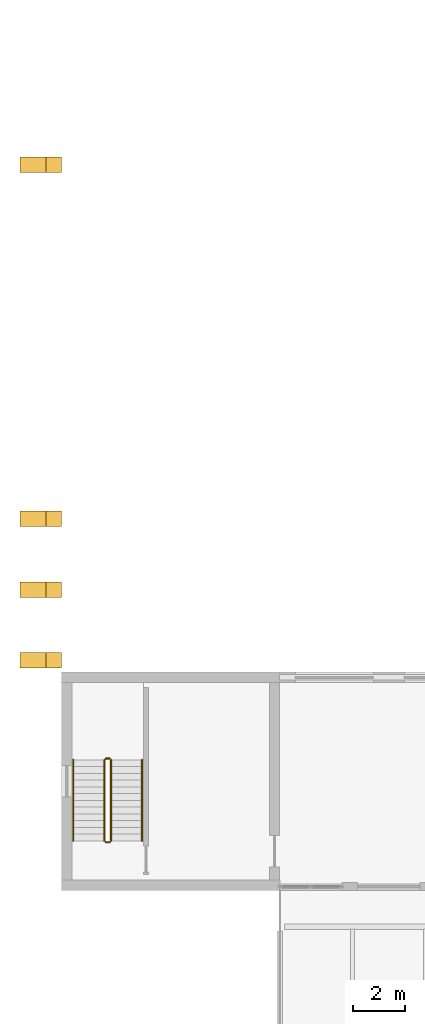
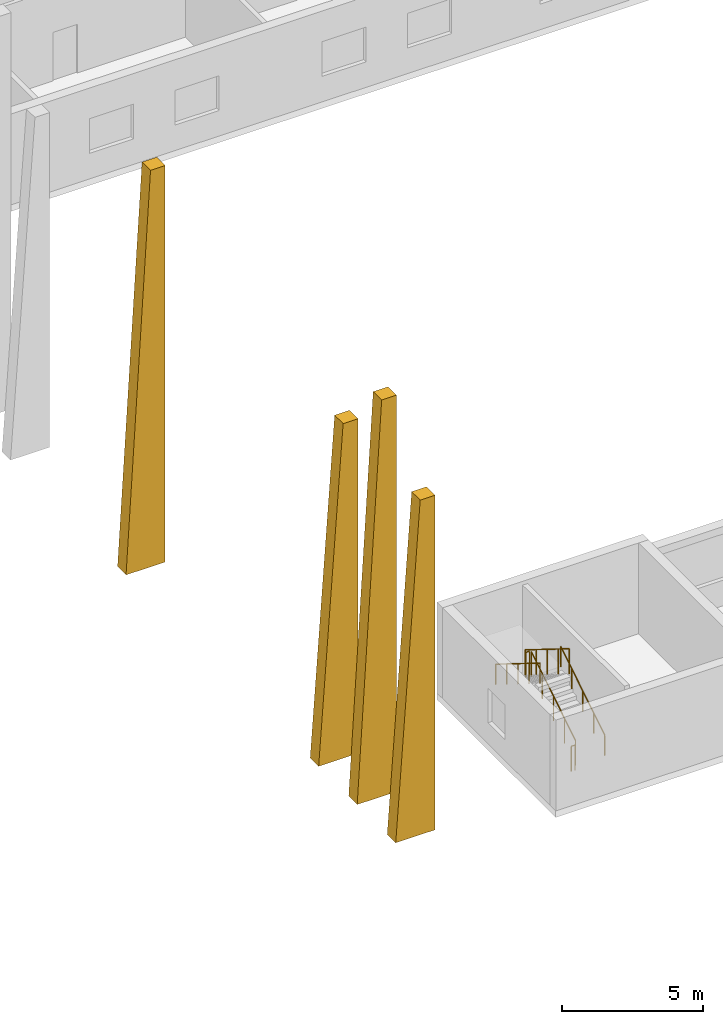
# One storey, part 87 of 96: 6 railings, 4 coverings.
"""IFC4 building model written with IfcOpenShell, lengths in metres."""

from ifc_helpers import new_model, si_unit, direction, frame, origin, origin_2d, place, context, subcontext, project, spatial, polyline, circle, outline, extrude, material, type_object, element, save


model = new_model("IFC4")

# Units and contexts
model_context = context("Model", 3, precision=1e-05, world=origin(), true_north=direction((0.0, 1.0)))
body_context = subcontext(model_context, "Body", "Model", "MODEL_VIEW")
ifc_project = project(units=[si_unit("LENGTHUNIT", "METRE"), si_unit("AREAUNIT", "SQUARE_METRE"), si_unit("VOLUMEUNIT", "CUBIC_METRE"), si_unit("PLANEANGLEUNIT", "RADIAN"), si_unit("MASSUNIT", "GRAM", prefix="KILO")], contexts=[model_context])

# Site, building, storey
site_placement = place(None, origin())
site = spatial("IfcSite", under=ifc_project, at=site_placement, CompositionType="ELEMENT")
building_placement = place(site_placement, origin())
building = spatial("IfcBuilding", under=site, at=building_placement, Name="Cresset Court Congress Hotel", CompositionType="ELEMENT")
storey_placement = place(building_placement, frame((0.0, 0.0, 6.0)))
storey = spatial("IfcBuildingStorey", under=building, at=storey_placement, Name="L01", CompositionType="ELEMENT", Elevation=6.0)

# Railings
ifc_material_1 = material(Name="Stainless steel", Category="steel")
railing_type_1 = type_object("IfcRailingType", Name="Handrail 900", PredefinedType="HANDRAIL", material=ifc_material_1)
railing_1_placement = place(storey_placement, frame((11.5, 60.699951171875, 0.16162109375)))
element("IfcRailing", 1, at=railing_1_placement, inside=storey, type_object=railing_type_1, Name="L01 ST-D1 stair handrail 1", PredefinedType="HANDRAIL", context=body_context, shape_type="SweptSolid", body=[
    extrude(circle(Radius=0.02392578125, at=origin_2d()), frame((0.0, 0.0, 0.8759765625), z_axis=(0.0, 0.849414166554, 0.527726798313), x_axis=(-1.0, 0.0, 0.0)), (0.0, 0.0, 1.0), 3.67333984375),
    extrude(circle(Radius=0.02099609375, at=origin_2d()), origin(), (0.0, 0.0, 1.0), 0.851806640625),
    extrude(circle(Radius=0.02099609375, at=origin_2d()), frame((0.0, 0.780029296875, 0.484619140625)), (0.0, 0.0, 1.0), 0.851806640625),
    extrude(circle(Radius=0.02099609375, at=origin_2d()), frame((0.0, 1.56005859375, 0.96923828125)), (0.0, 0.0, 1.0), 0.851806640625),
    extrude(circle(Radius=0.02099609375, at=origin_2d()), frame((0.0, 2.340087890625, 1.453857421875)), (0.0, 0.0, 1.0), 0.851806640625),
    extrude(circle(Radius=0.02099609375, at=origin_2d()), frame((0.0, 3.1201171875, 1.9384765625)), (0.0, 0.0, 1.0), 0.851806640625),
])
railing_2_placement = place(storey_placement, frame((8.85009765625, 63.820068359375, 2.261474609375)))
element("IfcRailing", 2, at=railing_2_placement, inside=storey, type_object=railing_type_1, Name="L01 ST-D1 stair handrail 2", PredefinedType="HANDRAIL", context=body_context, shape_type="SweptSolid", body=[
    extrude(circle(Radius=0.02392578125, at=origin_2d()), frame((0.0, 0.0, 0.8759765625), z_axis=(0.0, -0.849414166554, 0.527726798313), x_axis=(1.0, 0.0, 0.0)), (0.0, 0.0, 1.0), 3.67333984375),
    extrude(circle(Radius=0.02099609375, at=origin_2d()), origin(), (0.0, 0.0, 1.0), 0.851806640625),
    extrude(circle(Radius=0.02099609375, at=origin_2d()), frame((0.0, -0.780029296875, 0.484619140625)), (0.0, 0.0, 1.0), 0.851806640625),
    extrude(circle(Radius=0.02099609375, at=origin_2d()), frame((0.0, -1.56005859375, 0.96923828125)), (0.0, 0.0, 1.0), 0.851806640625),
    extrude(circle(Radius=0.02099609375, at=origin_2d()), frame((0.0, -2.340087890625, 1.453857421875)), (0.0, 0.0, 1.0), 0.851806640625),
    extrude(circle(Radius=0.02099609375, at=origin_2d()), frame((0.0, -3.1201171875, 1.9384765625)), (0.0, 0.0, 1.0), 0.851806640625),
])

# Coverings
ifc_material_2 = material(Name="Board-marked concrete C50", Category="concrete")
covering_type = type_object("IfcCoveringType", Name="Raked pier 600", PredefinedType="CLADDING", material=ifc_material_2)
covering_1_placement = place(storey_placement, frame((0.0, 67.64990234375, -6.0)))
element("IfcCovering", 3, at=covering_1_placement, inside=storey, type_object=covering_type, Name="Raked pier DB-W1", PredefinedType="CLADDING", context=body_context, shape_type="SweptSolid", body=[
    extrude(outline(polyline([(8.39990234375, 14.44677734375), (7.800048828125, 14.44677734375), (6.800048828125, 0.0), (8.39990234375, 0.0), (8.39990234375, 14.44677734375)])), frame((0.0, 0.300048828125, 0.0), z_axis=(0.0, -1.0, 0.0), x_axis=(1.0, 0.0, 0.0)), (0.0, 0.0, 1.0), 0.60009765625),
])
covering_2_placement = place(storey_placement, frame((0.0, 70.375, -6.0)))
element("IfcCovering", 4, at=covering_2_placement, inside=storey, type_object=covering_type, Name="Raked pier DB-W2", PredefinedType="CLADDING", context=body_context, shape_type="SweptSolid", body=[
    extrude(outline(polyline([(8.39990234375, 17.116455078125), (7.800048828125, 17.116455078125), (6.800048828125, 0.0), (8.39990234375, 0.0), (8.39990234375, 17.116455078125)])), frame((0.0, 0.300048828125, 0.0), z_axis=(0.0, -1.0, 0.0), x_axis=(1.0, 0.0, 0.0)), (0.0, 0.0, 1.0), 0.60009765625),
])
covering_3_placement = place(storey_placement, frame((0.0, 73.10009765625, -6.0)))
element("IfcCovering", 5, at=covering_3_placement, inside=storey, type_object=covering_type, Name="Raked pier DB-W3", PredefinedType="CLADDING", context=body_context, shape_type="SweptSolid", body=[
    extrude(outline(polyline([(8.39990234375, 14.44677734375), (7.800048828125, 14.44677734375), (6.800048828125, 0.0), (8.39990234375, 0.0), (8.39990234375, 14.44677734375)])), frame((0.0, 0.300048828125, 0.0), z_axis=(0.0, -1.0, 0.0), x_axis=(1.0, 0.0, 0.0)), (0.0, 0.0, 1.0), 0.60009765625),
])
covering_4_placement = place(storey_placement, frame((0.0, 86.72509765625, -6.0)))
element("IfcCovering", 6, at=covering_4_placement, inside=storey, type_object=covering_type, Name="Raked pier DB-W8", PredefinedType="CLADDING", context=body_context, shape_type="SweptSolid", body=[
    extrude(outline(polyline([(8.39990234375, 17.116455078125), (7.800048828125, 17.116455078125), (6.800048828125, 0.0), (8.39990234375, 0.0), (8.39990234375, 17.116455078125)])), frame((0.0, 0.300048828125, 0.0), z_axis=(0.0, -1.0, 0.0), x_axis=(1.0, 0.0, 0.0)), (0.0, 0.0, 1.0), 0.60009765625),
])

# Railings
ifc_material_3 = material(Name="Stainless steel", Category="steel")
railing_type_2 = type_object("IfcRailingType", Name="Stair guard 1100 internal", PredefinedType="GUARDRAIL", material=ifc_material_3)
railing_3_placement = place(storey_placement, frame((10.300048828125, 60.699951171875, 0.16162109375)))
element("IfcRailing", 7, at=railing_3_placement, inside=storey, type_object=railing_type_2, Name="L01 ST-D1 stair guard 1", PredefinedType="GUARDRAIL", context=body_context, shape_type="SweptSolid", body=[
    extrude(circle(Radius=0.02392578125, at=origin_2d()), frame((0.0, 0.0, 1.076171875), z_axis=(0.0, 0.849414166554, 0.527726798313), x_axis=(-1.0, 0.0, 0.0)), (0.0, 0.0, 1.0), 3.67333984375),
    extrude(circle(Radius=0.02099609375, at=origin_2d()), origin(), (0.0, 0.0, 1.0), 1.052001953125),
    extrude(circle(Radius=0.02099609375, at=origin_2d()), frame((0.0, 0.780029296875, 0.484619140625)), (0.0, 0.0, 1.0), 1.052001953125),
    extrude(circle(Radius=0.02099609375, at=origin_2d()), frame((0.0, 1.56005859375, 0.96923828125)), (0.0, 0.0, 1.0), 1.052001953125),
    extrude(circle(Radius=0.02099609375, at=origin_2d()), frame((0.0, 2.340087890625, 1.453857421875)), (0.0, 0.0, 1.0), 1.052001953125),
    extrude(circle(Radius=0.02099609375, at=origin_2d()), frame((0.0, 3.1201171875, 1.9384765625)), (0.0, 0.0, 1.0), 1.052001953125),
])
railing_4_placement = place(storey_placement, frame((10.25, 63.8701171875, 2.10009765625)))
element("IfcRailing", 8, at=railing_4_placement, inside=storey, type_object=railing_type_2, Name="L01 ST-D1 stair guard 2", PredefinedType="GUARDRAIL", context=body_context, shape_type="SweptSolid", body=[
    extrude(circle(Radius=0.02392578125, at=origin_2d()), frame((0.0, 0.0, 1.076171875), z_axis=(-1.0, 0.0, 0.0), x_axis=(0.0, -1.0, 0.0)), (0.0, 0.0, 1.0), 0.14990234375),
    extrude(circle(Radius=0.02099609375, at=origin_2d()), origin(), (0.0, 0.0, 1.0), 1.052001953125),
    extrude(circle(Radius=0.02099609375, at=origin_2d()), frame((-0.14990234375, 0.0, 0.0)), (0.0, 0.0, 1.0), 1.052001953125),
])
railing_5_placement = place(storey_placement, frame((10.050048828125, 63.820068359375, 2.261474609375)))
element("IfcRailing", 9, at=railing_5_placement, inside=storey, type_object=railing_type_2, Name="L01 ST-D1 stair guard 3", PredefinedType="GUARDRAIL", context=body_context, shape_type="SweptSolid", body=[
    extrude(circle(Radius=0.02392578125, at=origin_2d()), frame((0.0, 0.0, 1.076171875), z_axis=(0.0, -0.849414166554, 0.527726798313), x_axis=(1.0, 0.0, 0.0)), (0.0, 0.0, 1.0), 3.67333984375),
    extrude(circle(Radius=0.02099609375, at=origin_2d()), origin(), (0.0, 0.0, 1.0), 1.052001953125),
    extrude(circle(Radius=0.02099609375, at=origin_2d()), frame((0.0, -0.780029296875, 0.484619140625)), (0.0, 0.0, 1.0), 1.052001953125),
    extrude(circle(Radius=0.02099609375, at=origin_2d()), frame((0.0, -1.56005859375, 0.96923828125)), (0.0, 0.0, 1.0), 1.052001953125),
    extrude(circle(Radius=0.02099609375, at=origin_2d()), frame((0.0, -2.340087890625, 1.453857421875)), (0.0, 0.0, 1.0), 1.052001953125),
    extrude(circle(Radius=0.02099609375, at=origin_2d()), frame((0.0, -3.1201171875, 1.9384765625)), (0.0, 0.0, 1.0), 1.052001953125),
])
railing_6_placement = place(storey_placement, frame((10.25, 60.64990234375, 0.0)))
element("IfcRailing", 10, at=railing_6_placement, inside=storey, type_object=railing_type_2, Name="L01 ST-D1 stair guard 4", PredefinedType="GUARDRAIL", context=body_context, shape_type="SweptSolid", body=[
    extrude(circle(Radius=0.02392578125, at=origin_2d()), frame((0.0, 0.0, 1.076171875), z_axis=(-1.0, 0.0, 0.0), x_axis=(0.0, -1.0, 0.0)), (0.0, 0.0, 1.0), 0.14990234375),
    extrude(circle(Radius=0.02099609375, at=origin_2d()), origin(), (0.0, 0.0, 1.0), 1.052001953125),
    extrude(circle(Radius=0.02099609375, at=origin_2d()), frame((-0.14990234375, 0.0, 0.0)), (0.0, 0.0, 1.0), 1.052001953125),
])

save(model, "model.ifc")
